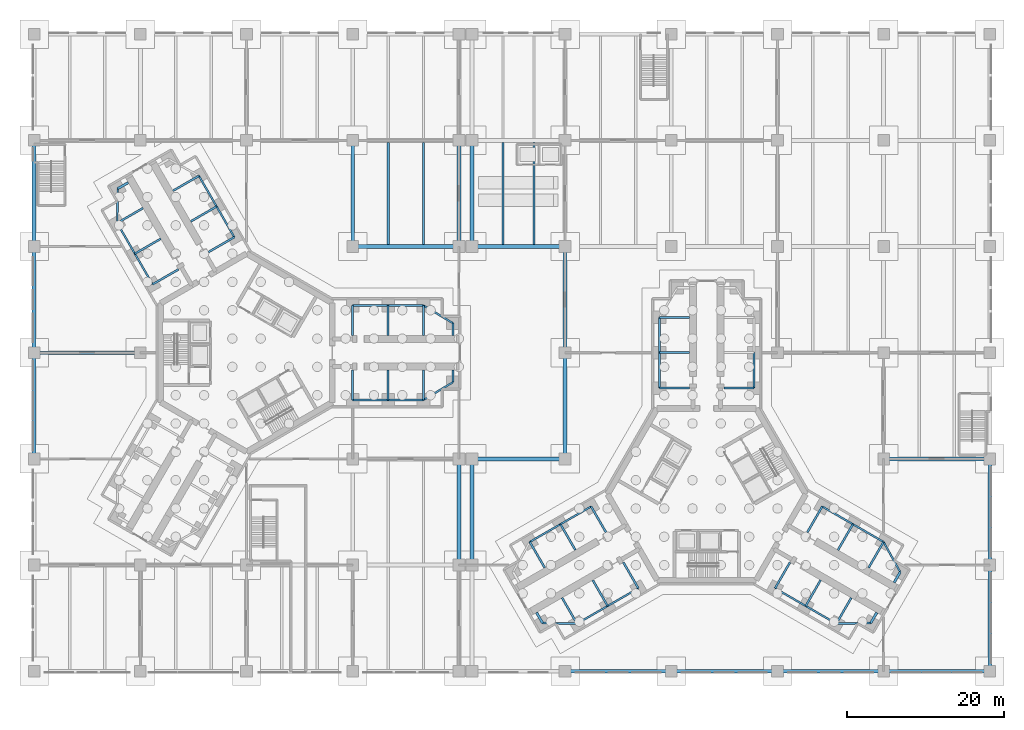
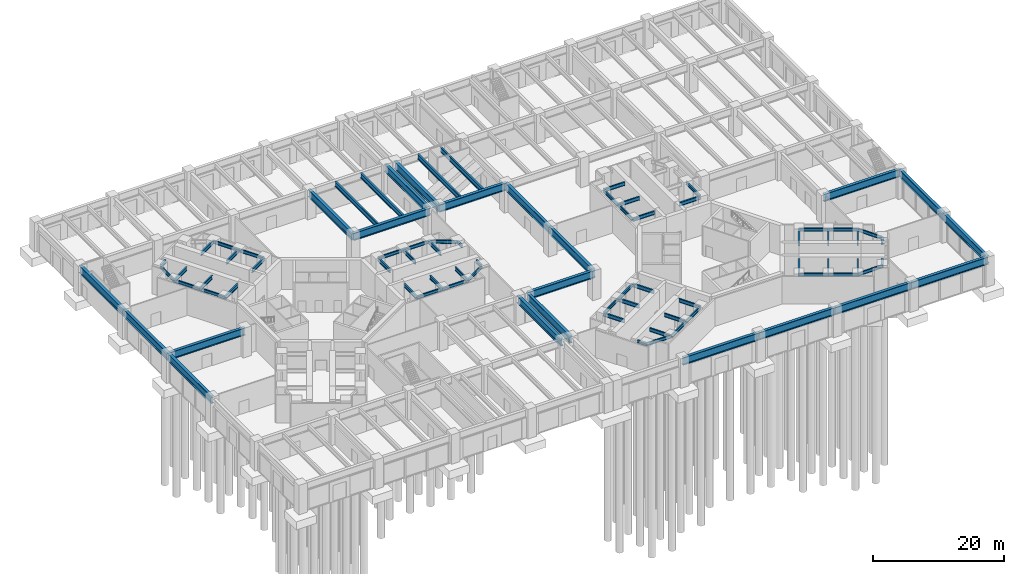
# One storey, part 3 of 18: 84 beams.
"""IFC4 building model written with IfcOpenShell, lengths in metres."""

import ifcopenshell
import ifcopenshell.guid

model = None  # the IFC model being written
_history = None  # IfcOwnerHistory: only IFC2X3 demands one
_inside = {}  # id of a spatial element -> (the spatial element, [elements in it])
_under = {}  # id of a project, library or spatial element -> (it, [spatial elements below it])
_declared = {}  # id of a project -> (the project, [libraries it declares])
_typed = {}  # id of a type object -> (the type object, [elements of that type])
_made_of = {}  # id of a material, layer set ... -> (it, [elements and type objects made of it])


def new_model(schema):
    """Start an empty IFC model of exactly this schema.

    Asked for "IFC4X3", IfcOpenShell would pick the latest addendum, in which some entities
    have other attributes; the version numbers below select the first issue.
    IFC2X3 requires an IfcOwnerHistory on every rooted entity: one is made here for all.
    """
    global model, _history
    if schema == "IFC4X3":
        model = ifcopenshell.file(schema_version=(4, 3, 0, 0))
    else:
        model = ifcopenshell.file(schema=schema)
    _inside.clear()
    _under.clear()
    _declared.clear()
    _typed.clear()
    _made_of.clear()
    _history = None
    if model.schema == "IFC2X3":
        org = make("IfcOrganization", Name="unknown")
        user = make(
            "IfcPersonAndOrganization",
            ThePerson=make("IfcPerson", FamilyName="unknown"),
            TheOrganization=org,
        )
        app = make(
            "IfcApplication",
            ApplicationDeveloper=org,
            Version="unknown",
            ApplicationFullName="unknown",
            ApplicationIdentifier="unknown",
        )
        _history = make(
            "IfcOwnerHistory",
            OwningUser=user,
            OwningApplication=app,
            ChangeAction="ADDED",
            CreationDate=0,
        )
    return model


def make(cls, **values):
    """One entity of the class cls with the attributes given. An attribute that is None is left unset."""
    return model.create_entity(
        cls, **{name: value for name, value in values.items() if value is not None}
    )


def rooted(cls, **values):
    """An entity with a GlobalId (a new one), such as an element, a storey or a relation."""
    return make(cls, GlobalId=ifcopenshell.guid.new(), OwnerHistory=_history, **values)


def si_unit(unit_type, name, prefix=None):
    """IfcSIUnit, for example si_unit("LENGTHUNIT", "METRE", prefix="MILLI")."""
    return make("IfcSIUnit", UnitType=unit_type, Prefix=prefix, Name=name)


def assignment(units):
    """IfcUnitAssignment: the units of a project."""
    return None if units is None else make("IfcUnitAssignment", Units=units)


def point(xyz):
    """IfcCartesianPoint."""
    return None if xyz is None else make("IfcCartesianPoint", Coordinates=xyz)


def direction(xyz):
    """IfcDirection."""
    return None if xyz is None else make("IfcDirection", DirectionRatios=xyz)


def frame(location, z_axis=None, x_axis=None):
    """IfcAxis2Placement3D, a coordinate frame: its origin and axes. An axis left out is left unset."""
    return make(
        "IfcAxis2Placement3D",
        Location=point(location),
        Axis=direction(z_axis),
        RefDirection=direction(x_axis),
    )


def frame_2d(location, x_axis=None):
    """IfcAxis2Placement2D, a coordinate frame in the plane: its origin and x axis."""
    return make(
        "IfcAxis2Placement2D", Location=point(location), RefDirection=direction(x_axis)
    )


def origin():
    """The frame at (0, 0, 0) with its axes left unset."""
    return frame((0.0, 0.0, 0.0))


def origin_2d():
    """The frame at (0, 0) in the plane with its x axis left unset."""
    return frame_2d((0.0, 0.0))


def place(relative_to, where):
    """IfcLocalPlacement: puts the frame where relative to a parent placement (None: the world)."""
    return make(
        "IfcLocalPlacement", PlacementRelTo=relative_to, RelativePlacement=where
    )


def context(
    kind, dimensions, precision=None, world=None, true_north=None, identifier=None
):
    """IfcGeometricRepresentationContext, for example the 3D "Model" context."""
    return make(
        "IfcGeometricRepresentationContext",
        ContextIdentifier=identifier,
        ContextType=kind,
        CoordinateSpaceDimension=dimensions,
        Precision=precision,
        WorldCoordinateSystem=world,
        TrueNorth=true_north,
    )


def subcontext(parent, identifier, kind, view, scale=None):
    """IfcGeometricRepresentationSubContext, for example "Body" below "Model"."""
    return make(
        "IfcGeometricRepresentationSubContext",
        ContextIdentifier=identifier,
        ContextType=kind,
        ParentContext=parent,
        TargetScale=scale,
        TargetView=view,
    )


def project(units=None, contexts=None):
    """IfcProject with its units and contexts."""
    return rooted(
        "IfcProject",
        Name="project",
        RepresentationContexts=contexts,
        UnitsInContext=assignment(units),
    )


def spatial(cls, under=None, at=None, **own):
    """A site, building, storey or space (cls), placed at a placement, below another one or the project."""
    s = rooted(cls, ObjectPlacement=at, **own)
    if under is not None:
        _under.setdefault(under.id(), (under, []))[1].append(s)
    return s


def profile(cls, at=None, kind="AREA", **sizes):
    """A parametric profile (cls). Its sizes go by their IFC names, for example OverallWidth=200.0."""
    return make(cls, ProfileType=kind, Position=at, **sizes)


def i_section(**sizes):
    """IfcIShapeProfileDef."""
    return profile("IfcIShapeProfileDef", **sizes)


def extrude(swept, where, along, depth):
    """IfcExtrudedAreaSolid: the profile swept, set in the frame where, extruded along a direction by depth."""
    return make(
        "IfcExtrudedAreaSolid",
        SweptArea=swept,
        Position=where,
        ExtrudedDirection=direction(along),
        Depth=depth,
    )


def shape(context_of_items, identifier, shape_type, items):
    """IfcShapeRepresentation: the items that make up one representation, for example the "Body"."""
    return make(
        "IfcShapeRepresentation",
        ContextOfItems=context_of_items,
        RepresentationIdentifier=identifier,
        RepresentationType=shape_type,
        Items=items,
    )


def material(Name=None, Category=None):
    """IfcMaterial."""
    return make("IfcMaterial", Name=Name, Category=Category)


def material_profile(
    of_material, cross_section, Name=None, Category=None, Priority=None
):
    """IfcMaterialProfile: a cross section and its material."""
    return make(
        "IfcMaterialProfile",
        Name=Name,
        Material=of_material,
        Profile=cross_section,
        Priority=Priority,
        Category=Category,
    )


def profile_set(profiles, Name=None, composite=None):
    """IfcMaterialProfileSet."""
    return make(
        "IfcMaterialProfileSet",
        Name=Name,
        MaterialProfiles=profiles,
        CompositeProfile=composite,
    )


def made_of(thing, what):
    """Note that an element or type object is made of a material, layer set ...; save() writes the relation."""
    if what is not None:
        _made_of.setdefault(what.id(), (what, []))[1].append(thing)
    return thing


def type_object(cls, material=None, **own):
    """A type object (cls), such as IfcWallType, which elements share."""
    return made_of(rooted(cls, **own), material)


def element(
    cls,
    number,
    at=None,
    inside=None,
    cuts=None,
    type_object=None,
    material=None,
    context=None,
    identifier="Body",
    shape_type=None,
    held_by="IfcProductDefinitionShape",
    body=None,
    shapes=None,
    **own,
):
    """One element of the class cls, such as IfcWall. Its Tag is "e" and its number.

    at: its placement. inside: the storey or other place that contains it. cuts: it is an
    opening in that element (IfcRelVoidsElement). A single representation is given by context,
    identifier, shape_type and body (its items); several are given by shapes. held_by: the class
    of the entity that holds the representations. save() writes the other relations.
    """
    e = rooted(cls, Tag="e%d" % number, ObjectPlacement=at, **own)
    if body is not None:
        shapes = [shape(context, identifier, shape_type, body)]
    if shapes is not None:
        e.Representation = make(held_by, Representations=shapes)
    if inside is not None:
        _inside.setdefault(inside.id(), (inside, []))[1].append(e)
    if cuts is not None:
        rooted(
            "IfcRelVoidsElement", RelatingBuildingElement=cuts, RelatedOpeningElement=e
        )
    if type_object is not None:
        _typed.setdefault(type_object.id(), (type_object, []))[1].append(e)
    return made_of(e, material)


def aggregate(whole, parts):
    """IfcRelAggregates: a whole, such as a stair, and the parts it consists of."""
    return rooted("IfcRelAggregates", RelatingObject=whole, RelatedObjects=parts)


def save(model, path):
    """Write the relations noted so far, then the file.

    IfcRelAggregates (storeys below a building ...), IfcRelContainedInSpatialStructure (elements
    in a storey), IfcRelDefinesByType, IfcRelAssociatesMaterial and IfcRelDeclares: one each for
    every whole, place, type object, material and project.
    """
    for whole, parts in _under.values():
        aggregate(whole, parts)
    for where, things in _inside.values():
        rooted(
            "IfcRelContainedInSpatialStructure",
            RelatedElements=things,
            RelatingStructure=where,
        )
    for kind, things in _typed.values():
        rooted("IfcRelDefinesByType", RelatedObjects=things, RelatingType=kind)
    for what, things in _made_of.values():
        rooted("IfcRelAssociatesMaterial", RelatedObjects=things, RelatingMaterial=what)
    for by, libraries in _declared.values():
        rooted("IfcRelDeclares", RelatingContext=by, RelatedDefinitions=libraries)
    model.write(path)


model = new_model("IFC4")

# Units and contexts
model_context = context("Model", 3, precision=1e-05, world=origin(), true_north=direction((0.0, 1.0)))
body_context = subcontext(model_context, "Body", "Model", "MODEL_VIEW")
ifc_project = project(units=[si_unit("LENGTHUNIT", "METRE"), si_unit("AREAUNIT", "SQUARE_METRE"), si_unit("VOLUMEUNIT", "CUBIC_METRE"), si_unit("PLANEANGLEUNIT", "RADIAN"), si_unit("MASSUNIT", "GRAM", prefix="KILO")], contexts=[model_context])

# Site, building, storey
site_placement = place(None, origin())
site = spatial("IfcSite", under=ifc_project, at=site_placement, CompositionType="ELEMENT")
building_placement = place(site_placement, origin())
building = spatial("IfcBuilding", under=site, at=building_placement, Name="Upepo Twin Towers", CompositionType="ELEMENT")
storey_placement = place(building_placement, origin())
storey = spatial("IfcBuildingStorey", under=building, at=storey_placement, Name="L00", CompositionType="ELEMENT", Elevation=0.0)

# Beams
ifc_material_1 = material(Name="Steel S355", Category="steel")
ifc_material_profile_1 = material_profile(ifc_material_1, i_section(OverallWidth=0.5, OverallDepth=1.39990234375, WebThickness=0.02490234375, FlangeThickness=0.050048828125, FilletRadius=0.008056640625, at=origin_2d()), Name="PG 1400x500x25x50")
ifc_profile_set_1 = profile_set([ifc_material_profile_1], Name="Steel S355")
beam_type_1 = type_object("IfcBeamType", Name="Beam PG 1400x500x25x50", PredefinedType="BEAM", material=ifc_profile_set_1)
for number, where, z_axis, x_axis, name in (
    (1, (40.5, -40.5, 4.449951171875), (1.0, 0.0, 0.0), (0.0, 1.0, 0.0), "Podium girder A/6-7"),
    (2, (54.0, -40.5, 4.449951171875), (1.0, 0.0, 0.0), (0.0, 1.0, 0.0), "Podium girder A/7-8"),
    (3, (67.5, -40.5, 4.449951171875), (1.0, 0.0, 0.0), (0.0, 1.0, 0.0), "Podium girder A/8-9"),
    (4, (81.0, -40.5, 4.449951171875), (1.0, 0.0, 0.0), (0.0, 1.0, 0.0), "Podium girder A/9-10"),
):
    element("IfcBeam", number, at=place(storey_placement, frame(where, z_axis=z_axis, x_axis=x_axis)), inside=storey, type_object=beam_type_1, Name=name, PredefinedType="BEAM", context=body_context, shape_type="SweptSolid", body=[
        extrude(i_section(OverallWidth=0.5, OverallDepth=1.39990234375, WebThickness=0.02490234375, FlangeThickness=0.050048828125, FilletRadius=0.008056640625, at=origin_2d()), origin(), (0.0, 0.0, 1.0), 13.5),
    ])
beam_1_placement = place(storey_placement, frame((28.64990234375, -13.5, 4.449951171875), z_axis=(1.0, 0.0, 0.0), x_axis=(0.0, 1.0, 0.0)))
element("IfcBeam", 5, at=beam_1_placement, inside=storey, type_object=beam_type_1, Name="Podium girder C/5a-6", PredefinedType="BEAM", context=body_context, shape_type="SweptSolid", body=[
    extrude(i_section(OverallWidth=0.5, OverallDepth=1.39990234375, WebThickness=0.02490234375, FlangeThickness=0.050048828125, FilletRadius=0.008056640625, at=origin_2d()), origin(), (0.0, 0.0, 1.0), 11.85009765625),
])
for number, where, z_axis, x_axis, name in (
    (6, (81.0, -13.5, 4.449951171875), (1.0, 0.0, 0.0), (0.0, 1.0, 0.0), "Podium girder C/9-10"),
    (7, (-27.0, 0.0, 4.449951171875), (1.0, 0.0, 0.0), (0.0, 1.0, 0.0), "Podium girder D/1-2"),
    (8, (13.5, 13.5, 4.449951171875), (1.0, 0.0, 0.0), (0.0, 1.0, 0.0), "Podium girder E/4-5"),
):
    element("IfcBeam", number, at=place(storey_placement, frame(where, z_axis=z_axis, x_axis=x_axis)), inside=storey, type_object=beam_type_1, Name=name, PredefinedType="BEAM", context=body_context, shape_type="SweptSolid", body=[
        extrude(i_section(OverallWidth=0.5, OverallDepth=1.39990234375, WebThickness=0.02490234375, FlangeThickness=0.050048828125, FilletRadius=0.008056640625, at=origin_2d()), origin(), (0.0, 0.0, 1.0), 13.5),
    ])
beam_2_placement = place(storey_placement, frame((28.64990234375, 13.5, 4.449951171875), z_axis=(1.0, 0.0, 0.0), x_axis=(0.0, 1.0, 0.0)))
element("IfcBeam", 9, at=beam_2_placement, inside=storey, type_object=beam_type_1, Name="Podium girder E/5a-6", PredefinedType="BEAM", context=body_context, shape_type="SweptSolid", body=[
    extrude(i_section(OverallWidth=0.5, OverallDepth=1.39990234375, WebThickness=0.02490234375, FlangeThickness=0.050048828125, FilletRadius=0.008056640625, at=origin_2d()), origin(), (0.0, 0.0, 1.0), 11.85009765625),
])
for number, where, z_axis, x_axis, name in (
    (10, (-27.0, -13.5, 4.449951171875), (0.0, 1.0, 0.0), (-1.0, 0.0, 0.0), "Podium girder 1/C-D"),
    (11, (-27.0, 0.0, 4.449951171875), (0.0, 1.0, 0.0), (-1.0, 0.0, 0.0), "Podium girder 1/D-E"),
    (12, (-27.0, 13.5, 4.449951171875), (0.0, 1.0, 0.0), (-1.0, 0.0, 0.0), "Podium girder 1/E-F"),
    (13, (13.5, 13.5, 4.449951171875), (0.0, 1.0, 0.0), (-1.0, 0.0, 0.0), "Podium girder 4/E-F"),
    (14, (27.0, -27.0, 4.449951171875), (0.0, 1.0, 0.0), (-1.0, 0.0, 0.0), "Podium girder 5/B-C"),
    (15, (27.0, 13.5, 4.449951171875), (0.0, 1.0, 0.0), (-1.0, 0.0, 0.0), "Podium girder 5/E-F"),
    (16, (28.64990234375, -27.0, 4.449951171875), (0.0, 1.0, 0.0), (-1.0, 0.0, 0.0), "Podium girder 5a/B-C"),
    (17, (28.64990234375, 13.5, 4.449951171875), (0.0, 1.0, 0.0), (-1.0, 0.0, 0.0), "Podium girder 5a/E-F"),
    (18, (40.5, -13.5, 4.449951171875), (0.0, 1.0, 0.0), (-1.0, 0.0, 0.0), "Podium girder 6/C-D"),
    (19, (40.5, 0.0, 4.449951171875), (0.0, 1.0, 0.0), (-1.0, 0.0, 0.0), "Podium girder 6/D-E"),
    (20, (94.5, -40.5, 4.449951171875), (0.0, 1.0, 0.0), (-1.0, 0.0, 0.0), "Podium girder 10/A-B"),
    (21, (94.5, -27.0, 4.449951171875), (0.0, 1.0, 0.0), (-1.0, 0.0, 0.0), "Podium girder 10/B-C"),
):
    element("IfcBeam", number, at=place(storey_placement, frame(where, z_axis=z_axis, x_axis=x_axis)), inside=storey, type_object=beam_type_1, Name=name, PredefinedType="BEAM", context=body_context, shape_type="SweptSolid", body=[
        extrude(i_section(OverallWidth=0.5, OverallDepth=1.39990234375, WebThickness=0.02490234375, FlangeThickness=0.050048828125, FilletRadius=0.008056640625, at=origin_2d()), origin(), (0.0, 0.0, 1.0), 13.5),
    ])
ifc_material_2 = material(Name="Steel S355", Category="steel")
ifc_material_profile_2 = material_profile(ifc_material_2, i_section(OverallWidth=0.31201171875, OverallDepth=0.54345703125, WebThickness=0.0126953125, FlangeThickness=0.020263671875, FilletRadius=0.0126953125, at=origin_2d()), Name="UB 533x312x150")
ifc_profile_set_2 = profile_set([ifc_material_profile_2], Name="Steel S355")
beam_type_2 = type_object("IfcBeamType", Name="Beam UB 533x312x150", PredefinedType="BEAM", material=ifc_profile_set_2)
for number, where, z_axis, x_axis, name in (
    (22, (26.25, 3.75, 4.878173828125), (0.0, -1.0, 0.0), (1.0, 0.0, 0.0), "T1 nose beam AL"),
    (23, (26.25, -3.75, 4.878173828125), (0.0, 1.0, 0.0), (-1.0, 0.0, 0.0), "T1 nose beam AR"),
):
    element("IfcBeam", number, at=place(storey_placement, frame(where, z_axis=z_axis, x_axis=x_axis)), inside=storey, type_object=beam_type_2, Name=name, PredefinedType="BEAM", context=body_context, shape_type="SweptSolid", body=[
        extrude(i_section(OverallWidth=0.31201171875, OverallDepth=0.54345703125, WebThickness=0.0126953125, FlangeThickness=0.020263671875, FilletRadius=0.0126953125, at=origin_2d()), origin(), (0.0, 0.0, 1.0), 1.550048828125),
    ])
for number, where, z_axis, x_axis, name in (
    (24, (-16.37255859375, 20.858154296875, 4.878173828125), (0.866043940782, 0.499967891604, 0.0), (-0.499967891604, 0.866043940782, 0.0), "T1 nose beam BL"),
    (25, (37.641845703125, -34.37255859375, 4.878173828125), (-0.499967891604, 0.866043940782, 0.0), (-0.866043940782, -0.499967891604, 0.0), "T2 nose beam BL"),
    (26, (83.108154296875, -27.87744140625, 4.878173828125), (-0.499967891604, -0.866043940782, 0.0), (0.866043940782, -0.499967891604, 0.0), "T2 nose beam CL"),
    (27, (79.358154296875, -34.37255859375, 4.878173828125), (0.499967891604, 0.866043940782, 0.0), (-0.866043940782, 0.499967891604, 0.0), "T2 nose beam CR"),
):
    element("IfcBeam", number, at=place(storey_placement, frame(where, z_axis=z_axis, x_axis=x_axis)), inside=storey, type_object=beam_type_2, Name=name, PredefinedType="BEAM", context=body_context, shape_type="SweptSolid", body=[
        extrude(i_section(OverallWidth=0.31201171875, OverallDepth=0.54345703125, WebThickness=0.0126953125, FlangeThickness=0.020263671875, FilletRadius=0.0126953125, at=origin_2d()), origin(), (0.0, 0.0, 1.0), 1.5498046875),
    ])
ifc_material_3 = material(Name="Steel S355", Category="steel")
ifc_material_profile_3 = material_profile(ifc_material_3, i_section(OverallWidth=0.228271484375, OverallDepth=0.607666015625, WebThickness=0.010986328125, FlangeThickness=0.017333984375, FilletRadius=0.0126953125, at=origin_2d()), Name="UB 610x229x113")
ifc_profile_set_3 = profile_set([ifc_material_profile_3], Name="Steel S355")
beam_type_3 = type_object("IfcBeamType", Name="Beam UB 610x229x113", PredefinedType="BEAM", material=ifc_profile_set_3)
for number, where, z_axis, x_axis, name in (
    (28, (13.5, 6.0, 4.84619140625), (1.0, 0.0, 0.0), (0.0, 1.0, 0.0), "T1 edge beam AL 13.5-18.0"),
    (29, (18.0, 6.0, 4.84619140625), (1.0, 0.0, 0.0), (0.0, 1.0, 0.0), "T1 edge beam AL 18.0-22.5"),
):
    element("IfcBeam", number, at=place(storey_placement, frame(where, z_axis=z_axis, x_axis=x_axis)), inside=storey, type_object=beam_type_3, Name=name, PredefinedType="BEAM", context=body_context, shape_type="SweptSolid", body=[
        extrude(i_section(OverallWidth=0.228271484375, OverallDepth=0.607666015625, WebThickness=0.010986328125, FlangeThickness=0.017333984375, FilletRadius=0.0126953125, at=origin_2d()), origin(), (0.0, 0.0, 1.0), 4.5),
    ])
beam_3_placement = place(storey_placement, frame((22.5, 6.0, 4.84619140625), z_axis=(0.857492925713, -0.514495755428, 0.0), x_axis=(0.514495755428, 0.857492925713, 0.0)))
element("IfcBeam", 30, at=beam_3_placement, inside=storey, type_object=beam_type_3, Name="T1 nose edge beam AL", PredefinedType="BEAM", context=body_context, shape_type="SweptSolid", body=[
    extrude(i_section(OverallWidth=0.228271484375, OverallDepth=0.607666015625, WebThickness=0.010986328125, FlangeThickness=0.017333984375, FilletRadius=0.0126953125, at=origin_2d()), origin(), (0.0, 0.0, 1.0), 4.373291015625),
])
for number, where, z_axis, x_axis, name in (
    (31, (13.5, -6.0, 4.84619140625), (1.0, 0.0, 0.0), (0.0, 1.0, 0.0), "T1 edge beam AR 13.5-18.0"),
    (32, (18.0, -6.0, 4.84619140625), (1.0, 0.0, 0.0), (0.0, 1.0, 0.0), "T1 edge beam AR 18.0-22.5"),
):
    element("IfcBeam", number, at=place(storey_placement, frame(where, z_axis=z_axis, x_axis=x_axis)), inside=storey, type_object=beam_type_3, Name=name, PredefinedType="BEAM", context=body_context, shape_type="SweptSolid", body=[
        extrude(i_section(OverallWidth=0.228271484375, OverallDepth=0.607666015625, WebThickness=0.010986328125, FlangeThickness=0.017333984375, FilletRadius=0.0126953125, at=origin_2d()), origin(), (0.0, 0.0, 1.0), 4.5),
    ])
beam_4_placement = place(storey_placement, frame((22.5, -6.0, 4.84619140625), z_axis=(0.857492925713, 0.514495755428, 0.0), x_axis=(-0.514495755428, 0.857492925713, 0.0)))
element("IfcBeam", 33, at=beam_4_placement, inside=storey, type_object=beam_type_3, Name="T1 nose edge beam AR", PredefinedType="BEAM", context=body_context, shape_type="SweptSolid", body=[
    extrude(i_section(OverallWidth=0.228271484375, OverallDepth=0.607666015625, WebThickness=0.010986328125, FlangeThickness=0.017333984375, FilletRadius=0.0126953125, at=origin_2d()), origin(), (0.0, 0.0, 1.0), 4.373291015625),
])
beam_5_placement = place(storey_placement, frame((-11.946044921875, 8.69140625, 4.84619140625), z_axis=(-0.500013631625, 0.866017533419, 0.0), x_axis=(-0.866017533419, -0.500013631625, 0.0)))
element("IfcBeam", 34, at=beam_5_placement, inside=storey, type_object=beam_type_3, Name="T1 edge beam BL 13.5-18.0", PredefinedType="BEAM", context=body_context, shape_type="SweptSolid", body=[
    extrude(i_section(OverallWidth=0.228271484375, OverallDepth=0.607666015625, WebThickness=0.010986328125, FlangeThickness=0.017333984375, FilletRadius=0.0126953125, at=origin_2d()), origin(), (0.0, 0.0, 1.0), 4.499755859375),
])
beam_6_placement = place(storey_placement, frame((-14.196044921875, 12.58837890625, 4.84619140625), z_axis=(-0.499990139034, 0.866031096941, 0.0), x_axis=(-0.866031096941, -0.499990139034, 0.0)))
element("IfcBeam", 35, at=beam_6_placement, inside=storey, type_object=beam_type_3, Name="T1 edge beam BL 18.0-22.5", PredefinedType="BEAM", context=body_context, shape_type="SweptSolid", body=[
    extrude(i_section(OverallWidth=0.228271484375, OverallDepth=0.607666015625, WebThickness=0.010986328125, FlangeThickness=0.017333984375, FilletRadius=0.0126953125, at=origin_2d()), origin(), (0.0, 0.0, 1.0), 4.5),
])
beam_7_placement = place(storey_placement, frame((-16.446044921875, 16.485595703125, 4.84619140625), z_axis=(0.016803880528, 0.999858804832, 0.0), x_axis=(-0.999858804832, 0.016803880528, 0.0)))
element("IfcBeam", 36, at=beam_7_placement, inside=storey, type_object=beam_type_3, Name="T1 nose edge beam BL", PredefinedType="BEAM", context=body_context, shape_type="SweptSolid", body=[
    extrude(i_section(OverallWidth=0.228271484375, OverallDepth=0.607666015625, WebThickness=0.010986328125, FlangeThickness=0.017333984375, FilletRadius=0.0126953125, at=origin_2d()), origin(), (0.0, 0.0, 1.0), 4.373291015625),
])
beam_8_placement = place(storey_placement, frame((-1.553955078125, 14.69140625, 4.84619140625), z_axis=(-0.500013631625, 0.866017533419, 0.0), x_axis=(-0.866017533419, -0.500013631625, 0.0)))
element("IfcBeam", 37, at=beam_8_placement, inside=storey, type_object=beam_type_3, Name="T1 edge beam BR 13.5-18.0", PredefinedType="BEAM", context=body_context, shape_type="SweptSolid", body=[
    extrude(i_section(OverallWidth=0.228271484375, OverallDepth=0.607666015625, WebThickness=0.010986328125, FlangeThickness=0.017333984375, FilletRadius=0.0126953125, at=origin_2d()), origin(), (0.0, 0.0, 1.0), 4.499755859375),
])
for number, where, z_axis, x_axis, name in (
    (38, (-3.803955078125, 18.58837890625, 4.84619140625), (-0.499990139034, 0.866031096941, 0.0), (-0.866031096941, -0.499990139034, 0.0), "T1 edge beam BR 18.0-22.5"),
    (39, (52.5, -4.5, 4.84619140625), (0.0, 1.0, 0.0), (-1.0, 0.0, 0.0), "T2 edge beam AL 13.5-18.0"),
    (40, (52.5, 0.0, 4.84619140625), (0.0, 1.0, 0.0), (-1.0, 0.0, 0.0), "T2 edge beam AL 18.0-22.5"),
    (41, (64.5, -4.5, 4.84619140625), (0.0, 1.0, 0.0), (-1.0, 0.0, 0.0), "T2 edge beam AR 13.5-18.0"),
):
    element("IfcBeam", number, at=place(storey_placement, frame(where, z_axis=z_axis, x_axis=x_axis)), inside=storey, type_object=beam_type_3, Name=name, PredefinedType="BEAM", context=body_context, shape_type="SweptSolid", body=[
        extrude(i_section(OverallWidth=0.228271484375, OverallDepth=0.607666015625, WebThickness=0.010986328125, FlangeThickness=0.017333984375, FilletRadius=0.0126953125, at=origin_2d()), origin(), (0.0, 0.0, 1.0), 4.5),
    ])
beam_9_placement = place(storey_placement, frame((49.80859375, -29.946044921875, 4.84619140625), z_axis=(-0.866017533419, -0.500013631625, 0.0), x_axis=(0.500013631625, -0.866017533419, 0.0)))
element("IfcBeam", 42, at=beam_9_placement, inside=storey, type_object=beam_type_3, Name="T2 edge beam BL 13.5-18.0", PredefinedType="BEAM", context=body_context, shape_type="SweptSolid", body=[
    extrude(i_section(OverallWidth=0.228271484375, OverallDepth=0.607666015625, WebThickness=0.010986328125, FlangeThickness=0.017333984375, FilletRadius=0.0126953125, at=origin_2d()), origin(), (0.0, 0.0, 1.0), 4.499755859375),
])
beam_10_placement = place(storey_placement, frame((45.91162109375, -32.196044921875, 4.84619140625), z_axis=(-0.866031096941, -0.499990139034, 0.0), x_axis=(0.499990139034, -0.866031096941, 0.0)))
element("IfcBeam", 43, at=beam_10_placement, inside=storey, type_object=beam_type_3, Name="T2 edge beam BL 18.0-22.5", PredefinedType="BEAM", context=body_context, shape_type="SweptSolid", body=[
    extrude(i_section(OverallWidth=0.228271484375, OverallDepth=0.607666015625, WebThickness=0.010986328125, FlangeThickness=0.017333984375, FilletRadius=0.0126953125, at=origin_2d()), origin(), (0.0, 0.0, 1.0), 4.5),
])
beam_11_placement = place(storey_placement, frame((42.014404296875, -34.446044921875, 4.84619140625), z_axis=(-0.999858804832, 0.016803880528, 0.0), x_axis=(-0.016803880528, -0.999858804832, 0.0)))
element("IfcBeam", 44, at=beam_11_placement, inside=storey, type_object=beam_type_3, Name="T2 nose edge beam BL", PredefinedType="BEAM", context=body_context, shape_type="SweptSolid", body=[
    extrude(i_section(OverallWidth=0.228271484375, OverallDepth=0.607666015625, WebThickness=0.010986328125, FlangeThickness=0.017333984375, FilletRadius=0.0126953125, at=origin_2d()), origin(), (0.0, 0.0, 1.0), 4.373291015625),
])
beam_12_placement = place(storey_placement, frame((43.80859375, -19.553955078125, 4.84619140625), z_axis=(-0.866017533419, -0.500013631625, 0.0), x_axis=(0.500013631625, -0.866017533419, 0.0)))
element("IfcBeam", 45, at=beam_12_placement, inside=storey, type_object=beam_type_3, Name="T2 edge beam BR 13.5-18.0", PredefinedType="BEAM", context=body_context, shape_type="SweptSolid", body=[
    extrude(i_section(OverallWidth=0.228271484375, OverallDepth=0.607666015625, WebThickness=0.010986328125, FlangeThickness=0.017333984375, FilletRadius=0.0126953125, at=origin_2d()), origin(), (0.0, 0.0, 1.0), 4.499755859375),
])
beam_13_placement = place(storey_placement, frame((39.91162109375, -21.803955078125, 4.84619140625), z_axis=(-0.866031096941, -0.499990139034, 0.0), x_axis=(0.499990139034, -0.866031096941, 0.0)))
element("IfcBeam", 46, at=beam_13_placement, inside=storey, type_object=beam_type_3, Name="T2 edge beam BR 18.0-22.5", PredefinedType="BEAM", context=body_context, shape_type="SweptSolid", body=[
    extrude(i_section(OverallWidth=0.228271484375, OverallDepth=0.607666015625, WebThickness=0.010986328125, FlangeThickness=0.017333984375, FilletRadius=0.0126953125, at=origin_2d()), origin(), (0.0, 0.0, 1.0), 4.5),
])
beam_14_placement = place(storey_placement, frame((73.19140625, -19.553955078125, 4.84619140625), z_axis=(0.866017533419, -0.500013631625, 0.0), x_axis=(0.500013631625, 0.866017533419, 0.0)))
element("IfcBeam", 47, at=beam_14_placement, inside=storey, type_object=beam_type_3, Name="T2 edge beam CL 13.5-18.0", PredefinedType="BEAM", context=body_context, shape_type="SweptSolid", body=[
    extrude(i_section(OverallWidth=0.228271484375, OverallDepth=0.607666015625, WebThickness=0.010986328125, FlangeThickness=0.017333984375, FilletRadius=0.0126953125, at=origin_2d()), origin(), (0.0, 0.0, 1.0), 4.499755859375),
])
beam_15_placement = place(storey_placement, frame((77.08837890625, -21.803955078125, 4.84619140625), z_axis=(0.866031096941, -0.499990139034, 0.0), x_axis=(0.499990139034, 0.866031096941, 0.0)))
element("IfcBeam", 48, at=beam_15_placement, inside=storey, type_object=beam_type_3, Name="T2 edge beam CL 18.0-22.5", PredefinedType="BEAM", context=body_context, shape_type="SweptSolid", body=[
    extrude(i_section(OverallWidth=0.228271484375, OverallDepth=0.607666015625, WebThickness=0.010986328125, FlangeThickness=0.017333984375, FilletRadius=0.0126953125, at=origin_2d()), origin(), (0.0, 0.0, 1.0), 4.5),
])
beam_16_placement = place(storey_placement, frame((80.985595703125, -24.053955078125, 4.84619140625), z_axis=(0.485363242752, -0.874312600038, 0.0), x_axis=(0.874312600038, 0.485363242752, 0.0)))
element("IfcBeam", 49, at=beam_16_placement, inside=storey, type_object=beam_type_3, Name="T2 nose edge beam CL", PredefinedType="BEAM", context=body_context, shape_type="SweptSolid", body=[
    extrude(i_section(OverallWidth=0.228271484375, OverallDepth=0.607666015625, WebThickness=0.010986328125, FlangeThickness=0.017333984375, FilletRadius=0.0126953125, at=origin_2d()), origin(), (0.0, 0.0, 1.0), 4.373046875),
])
beam_17_placement = place(storey_placement, frame((67.19140625, -29.946044921875, 4.84619140625), z_axis=(0.866017533419, -0.500013631625, 0.0), x_axis=(0.500013631625, 0.866017533419, 0.0)))
element("IfcBeam", 50, at=beam_17_placement, inside=storey, type_object=beam_type_3, Name="T2 edge beam CR 13.5-18.0", PredefinedType="BEAM", context=body_context, shape_type="SweptSolid", body=[
    extrude(i_section(OverallWidth=0.228271484375, OverallDepth=0.607666015625, WebThickness=0.010986328125, FlangeThickness=0.017333984375, FilletRadius=0.0126953125, at=origin_2d()), origin(), (0.0, 0.0, 1.0), 4.499755859375),
])
beam_18_placement = place(storey_placement, frame((71.08837890625, -32.196044921875, 4.84619140625), z_axis=(0.866031096941, -0.499990139034, 0.0), x_axis=(0.499990139034, 0.866031096941, 0.0)))
element("IfcBeam", 51, at=beam_18_placement, inside=storey, type_object=beam_type_3, Name="T2 edge beam CR 18.0-22.5", PredefinedType="BEAM", context=body_context, shape_type="SweptSolid", body=[
    extrude(i_section(OverallWidth=0.228271484375, OverallDepth=0.607666015625, WebThickness=0.010986328125, FlangeThickness=0.017333984375, FilletRadius=0.0126953125, at=origin_2d()), origin(), (0.0, 0.0, 1.0), 4.5),
])
beam_19_placement = place(storey_placement, frame((74.985595703125, -34.446044921875, 4.84619140625), z_axis=(0.999858804832, 0.016803880528, 0.0), x_axis=(-0.016803880528, 0.999858804832, 0.0)))
element("IfcBeam", 52, at=beam_19_placement, inside=storey, type_object=beam_type_3, Name="T2 nose edge beam CR", PredefinedType="BEAM", context=body_context, shape_type="SweptSolid", body=[
    extrude(i_section(OverallWidth=0.228271484375, OverallDepth=0.607666015625, WebThickness=0.010986328125, FlangeThickness=0.017333984375, FilletRadius=0.0126953125, at=origin_2d()), origin(), (0.0, 0.0, 1.0), 4.373291015625),
])
ifc_material_4 = material(Name="Steel S355", Category="steel")
ifc_material_profile_4 = material_profile(ifc_material_4, i_section(OverallWidth=0.253662109375, OverallDepth=0.68359375, WebThickness=0.012451171875, FlangeThickness=0.01904296875, FilletRadius=0.01513671875, at=origin_2d()), Name="UB 686x254x140")
ifc_profile_set_4 = profile_set([ifc_material_profile_4], Name="Steel S355")
beam_type_4 = type_object("IfcBeamType", Name="Beam UB 686x254x140", PredefinedType="BEAM", material=ifc_profile_set_4)
for number, where, z_axis, x_axis, name in (
    (53, (13.5, 6.0, 4.808349609375), (0.0, -1.0, 0.0), (1.0, 0.0, 0.0), "T1 girder AL at 13.5"),
    (54, (18.0, 6.0, 4.808349609375), (0.0, -1.0, 0.0), (1.0, 0.0, 0.0), "T1 girder AL at 18.0"),
    (55, (22.5, 6.0, 4.808349609375), (0.0, -1.0, 0.0), (1.0, 0.0, 0.0), "T1 girder AL at 22.5"),
    (56, (13.5, -6.0, 4.808349609375), (0.0, 1.0, 0.0), (-1.0, 0.0, 0.0), "T1 girder AR at 13.5"),
    (57, (18.0, -6.0, 4.808349609375), (0.0, 1.0, 0.0), (-1.0, 0.0, 0.0), "T1 girder AR at 18.0"),
    (58, (22.5, -6.0, 4.808349609375), (0.0, 1.0, 0.0), (-1.0, 0.0, 0.0), "T1 girder AR at 22.5"),
):
    element("IfcBeam", number, at=place(storey_placement, frame(where, z_axis=z_axis, x_axis=x_axis)), inside=storey, type_object=beam_type_4, Name=name, PredefinedType="BEAM", context=body_context, shape_type="SweptSolid", body=[
        extrude(i_section(OverallWidth=0.253662109375, OverallDepth=0.68359375, WebThickness=0.012451171875, FlangeThickness=0.01904296875, FilletRadius=0.01513671875, at=origin_2d()), origin(), (0.0, 0.0, 1.0), 3.800048828125),
    ])
beam_20_placement = place(storey_placement, frame((-11.946044921875, 8.69140625, 4.808349609375), z_axis=(0.866028304915, 0.499994975061, 0.0), x_axis=(-0.499994975061, 0.866028304915, 0.0)))
element("IfcBeam", 59, at=beam_20_placement, inside=storey, type_object=beam_type_4, Name="T1 girder BL at 13.5", PredefinedType="BEAM", context=body_context, shape_type="SweptSolid", body=[
    extrude(i_section(OverallWidth=0.253662109375, OverallDepth=0.68359375, WebThickness=0.012451171875, FlangeThickness=0.01904296875, FilletRadius=0.01513671875, at=origin_2d()), origin(), (0.0, 0.0, 1.0), 3.7998046875),
])
beam_21_placement = place(storey_placement, frame((-14.196044921875, 12.58837890625, 4.808349609375), z_axis=(0.866000483506, 0.500043160704, 0.0), x_axis=(-0.500043160704, 0.866000483506, 0.0)))
element("IfcBeam", 60, at=beam_21_placement, inside=storey, type_object=beam_type_4, Name="T1 girder BL at 18.0", PredefinedType="BEAM", context=body_context, shape_type="SweptSolid", body=[
    extrude(i_section(OverallWidth=0.253662109375, OverallDepth=0.68359375, WebThickness=0.012451171875, FlangeThickness=0.01904296875, FilletRadius=0.01513671875, at=origin_2d()), origin(), (0.0, 0.0, 1.0), 3.800048828125),
])
beam_22_placement = place(storey_placement, frame((-16.446044921875, 16.485595703125, 4.808349609375), z_axis=(0.866028304915, 0.499994975061, 0.0), x_axis=(-0.499994975061, 0.866028304915, 0.0)))
element("IfcBeam", 61, at=beam_22_placement, inside=storey, type_object=beam_type_4, Name="T1 girder BL at 22.5", PredefinedType="BEAM", context=body_context, shape_type="SweptSolid", body=[
    extrude(i_section(OverallWidth=0.253662109375, OverallDepth=0.68359375, WebThickness=0.012451171875, FlangeThickness=0.01904296875, FilletRadius=0.01513671875, at=origin_2d()), origin(), (0.0, 0.0, 1.0), 3.7998046875),
])
beam_23_placement = place(storey_placement, frame((-1.553955078125, 14.69140625, 4.808349609375), z_axis=(-0.866000483506, -0.500043160704, 0.0), x_axis=(0.500043160704, -0.866000483506, 0.0)))
element("IfcBeam", 62, at=beam_23_placement, inside=storey, type_object=beam_type_4, Name="T1 girder BR at 13.5", PredefinedType="BEAM", context=body_context, shape_type="SweptSolid", body=[
    extrude(i_section(OverallWidth=0.253662109375, OverallDepth=0.68359375, WebThickness=0.012451171875, FlangeThickness=0.01904296875, FilletRadius=0.01513671875, at=origin_2d()), origin(), (0.0, 0.0, 1.0), 3.800048828125),
])
for number, where, z_axis, x_axis, name in (
    (63, (-3.803955078125, 18.58837890625, 4.808349609375), (-0.866028304915, -0.499994975061, 0.0), (0.499994975061, -0.866028304915, 0.0), "T1 girder BR at 18.0"),
    (64, (-6.053955078125, 22.485595703125, 4.808349609375), (-0.866028304915, -0.499994975061, 0.0), (0.499994975061, -0.866028304915, 0.0), "T1 girder BR at 22.5"),
):
    element("IfcBeam", number, at=place(storey_placement, frame(where, z_axis=z_axis, x_axis=x_axis)), inside=storey, type_object=beam_type_4, Name=name, PredefinedType="BEAM", context=body_context, shape_type="SweptSolid", body=[
        extrude(i_section(OverallWidth=0.253662109375, OverallDepth=0.68359375, WebThickness=0.012451171875, FlangeThickness=0.01904296875, FilletRadius=0.01513671875, at=origin_2d()), origin(), (0.0, 0.0, 1.0), 3.7998046875),
    ])
for number, where, z_axis, x_axis, name in (
    (65, (52.5, -4.5, 4.808349609375), (1.0, 0.0, 0.0), (0.0, 1.0, 0.0), "T2 girder AL at 13.5"),
    (66, (52.5, 0.0, 4.808349609375), (1.0, 0.0, 0.0), (0.0, 1.0, 0.0), "T2 girder AL at 18.0"),
    (67, (52.5, 4.5, 4.808349609375), (1.0, 0.0, 0.0), (0.0, 1.0, 0.0), "T2 girder AL at 22.5"),
    (68, (64.5, -4.5, 4.808349609375), (-1.0, 0.0, 0.0), (0.0, -1.0, 0.0), "T2 girder AR at 13.5"),
):
    element("IfcBeam", number, at=place(storey_placement, frame(where, z_axis=z_axis, x_axis=x_axis)), inside=storey, type_object=beam_type_4, Name=name, PredefinedType="BEAM", context=body_context, shape_type="SweptSolid", body=[
        extrude(i_section(OverallWidth=0.253662109375, OverallDepth=0.68359375, WebThickness=0.012451171875, FlangeThickness=0.01904296875, FilletRadius=0.01513671875, at=origin_2d()), origin(), (0.0, 0.0, 1.0), 3.800048828125),
    ])
beam_24_placement = place(storey_placement, frame((49.80859375, -29.946044921875, 4.808349609375), z_axis=(-0.499994975061, 0.866028304915, 0.0), x_axis=(-0.866028304915, -0.499994975061, 0.0)))
element("IfcBeam", 69, at=beam_24_placement, inside=storey, type_object=beam_type_4, Name="T2 girder BL at 13.5", PredefinedType="BEAM", context=body_context, shape_type="SweptSolid", body=[
    extrude(i_section(OverallWidth=0.253662109375, OverallDepth=0.68359375, WebThickness=0.012451171875, FlangeThickness=0.01904296875, FilletRadius=0.01513671875, at=origin_2d()), origin(), (0.0, 0.0, 1.0), 3.7998046875),
])
beam_25_placement = place(storey_placement, frame((45.91162109375, -32.196044921875, 4.808349609375), z_axis=(-0.500043160704, 0.866000483506, 0.0), x_axis=(-0.866000483506, -0.500043160704, 0.0)))
element("IfcBeam", 70, at=beam_25_placement, inside=storey, type_object=beam_type_4, Name="T2 girder BL at 18.0", PredefinedType="BEAM", context=body_context, shape_type="SweptSolid", body=[
    extrude(i_section(OverallWidth=0.253662109375, OverallDepth=0.68359375, WebThickness=0.012451171875, FlangeThickness=0.01904296875, FilletRadius=0.01513671875, at=origin_2d()), origin(), (0.0, 0.0, 1.0), 3.800048828125),
])
beam_26_placement = place(storey_placement, frame((42.014404296875, -34.446044921875, 4.808349609375), z_axis=(-0.499994975061, 0.866028304915, 0.0), x_axis=(-0.866028304915, -0.499994975061, 0.0)))
element("IfcBeam", 71, at=beam_26_placement, inside=storey, type_object=beam_type_4, Name="T2 girder BL at 22.5", PredefinedType="BEAM", context=body_context, shape_type="SweptSolid", body=[
    extrude(i_section(OverallWidth=0.253662109375, OverallDepth=0.68359375, WebThickness=0.012451171875, FlangeThickness=0.01904296875, FilletRadius=0.01513671875, at=origin_2d()), origin(), (0.0, 0.0, 1.0), 3.7998046875),
])
beam_27_placement = place(storey_placement, frame((43.80859375, -19.553955078125, 4.808349609375), z_axis=(0.500043160704, -0.866000483506, 0.0), x_axis=(0.866000483506, 0.500043160704, 0.0)))
element("IfcBeam", 72, at=beam_27_placement, inside=storey, type_object=beam_type_4, Name="T2 girder BR at 13.5", PredefinedType="BEAM", context=body_context, shape_type="SweptSolid", body=[
    extrude(i_section(OverallWidth=0.253662109375, OverallDepth=0.68359375, WebThickness=0.012451171875, FlangeThickness=0.01904296875, FilletRadius=0.01513671875, at=origin_2d()), origin(), (0.0, 0.0, 1.0), 3.800048828125),
])
for number, where, z_axis, x_axis, name in (
    (73, (39.91162109375, -21.803955078125, 4.808349609375), (0.499994975061, -0.866028304915, 0.0), (0.866028304915, 0.499994975061, 0.0), "T2 girder BR at 18.0"),
    (74, (36.014404296875, -24.053955078125, 4.808349609375), (0.499994975061, -0.866028304915, 0.0), (0.866028304915, 0.499994975061, 0.0), "T2 girder BR at 22.5"),
):
    element("IfcBeam", number, at=place(storey_placement, frame(where, z_axis=z_axis, x_axis=x_axis)), inside=storey, type_object=beam_type_4, Name=name, PredefinedType="BEAM", context=body_context, shape_type="SweptSolid", body=[
        extrude(i_section(OverallWidth=0.253662109375, OverallDepth=0.68359375, WebThickness=0.012451171875, FlangeThickness=0.01904296875, FilletRadius=0.01513671875, at=origin_2d()), origin(), (0.0, 0.0, 1.0), 3.7998046875),
    ])
beam_28_placement = place(storey_placement, frame((73.19140625, -19.553955078125, 4.808349609375), z_axis=(-0.500043160704, -0.866000483506, 0.0), x_axis=(0.866000483506, -0.500043160704, 0.0)))
element("IfcBeam", 75, at=beam_28_placement, inside=storey, type_object=beam_type_4, Name="T2 girder CL at 13.5", PredefinedType="BEAM", context=body_context, shape_type="SweptSolid", body=[
    extrude(i_section(OverallWidth=0.253662109375, OverallDepth=0.68359375, WebThickness=0.012451171875, FlangeThickness=0.01904296875, FilletRadius=0.01513671875, at=origin_2d()), origin(), (0.0, 0.0, 1.0), 3.800048828125),
])
for number, where, z_axis, x_axis, name in (
    (76, (77.08837890625, -21.803955078125, 4.808349609375), (-0.499994975061, -0.866028304915, 0.0), (0.866028304915, -0.499994975061, 0.0), "T2 girder CL at 18.0"),
    (77, (80.985595703125, -24.053955078125, 4.808349609375), (-0.499994975061, -0.866028304915, 0.0), (0.866028304915, -0.499994975061, 0.0), "T2 girder CL at 22.5"),
    (78, (67.19140625, -29.946044921875, 4.808349609375), (0.499994975061, 0.866028304915, 0.0), (-0.866028304915, 0.499994975061, 0.0), "T2 girder CR at 13.5"),
):
    element("IfcBeam", number, at=place(storey_placement, frame(where, z_axis=z_axis, x_axis=x_axis)), inside=storey, type_object=beam_type_4, Name=name, PredefinedType="BEAM", context=body_context, shape_type="SweptSolid", body=[
        extrude(i_section(OverallWidth=0.253662109375, OverallDepth=0.68359375, WebThickness=0.012451171875, FlangeThickness=0.01904296875, FilletRadius=0.01513671875, at=origin_2d()), origin(), (0.0, 0.0, 1.0), 3.7998046875),
    ])
beam_29_placement = place(storey_placement, frame((71.08837890625, -32.196044921875, 4.808349609375), z_axis=(0.500043160704, 0.866000483506, 0.0), x_axis=(-0.866000483506, 0.500043160704, 0.0)))
element("IfcBeam", 79, at=beam_29_placement, inside=storey, type_object=beam_type_4, Name="T2 girder CR at 18.0", PredefinedType="BEAM", context=body_context, shape_type="SweptSolid", body=[
    extrude(i_section(OverallWidth=0.253662109375, OverallDepth=0.68359375, WebThickness=0.012451171875, FlangeThickness=0.01904296875, FilletRadius=0.01513671875, at=origin_2d()), origin(), (0.0, 0.0, 1.0), 3.800048828125),
])
beam_30_placement = place(storey_placement, frame((74.985595703125, -34.446044921875, 4.808349609375), z_axis=(0.499994975061, 0.866028304915, 0.0), x_axis=(-0.866028304915, 0.499994975061, 0.0)))
element("IfcBeam", 80, at=beam_30_placement, inside=storey, type_object=beam_type_4, Name="T2 girder CR at 22.5", PredefinedType="BEAM", context=body_context, shape_type="SweptSolid", body=[
    extrude(i_section(OverallWidth=0.253662109375, OverallDepth=0.68359375, WebThickness=0.012451171875, FlangeThickness=0.01904296875, FilletRadius=0.01513671875, at=origin_2d()), origin(), (0.0, 0.0, 1.0), 3.7998046875),
])
ifc_material_5 = material(Name="Steel S355", Category="steel")
ifc_material_profile_5 = material_profile(ifc_material_5, i_section(OverallWidth=0.305419921875, OverallDepth=0.91845703125, WebThickness=0.017333984375, FlangeThickness=0.02783203125, FilletRadius=0.01904296875, at=origin_2d()), Name="UB 914x305x253")
ifc_profile_set_5 = profile_set([ifc_material_profile_5], Name="Steel S355")
beam_type_5 = type_object("IfcBeamType", Name="Secondary beam UB 914x305x253", PredefinedType="JOIST", material=ifc_profile_set_5)
for number, where, z_axis, x_axis, name in (
    (81, (18.0, 13.75, 4.69091796875), (0.0, 1.0, 0.0), (-1.0, 0.0, 0.0), "Podium secondary beam E4.1"),
    (82, (22.5, 13.75, 4.69091796875), (0.0, 1.0, 0.0), (-1.0, 0.0, 0.0), "Podium secondary beam E4.2"),
    (83, (32.60009765625, 13.75, 4.69091796875), (0.0, 1.0, 0.0), (-1.0, 0.0, 0.0), "Podium secondary beam E5a.1"),
    (84, (36.550048828125, 13.75, 4.69091796875), (0.0, 1.0, 0.0), (-1.0, 0.0, 0.0), "Podium secondary beam E5a.2"),
):
    element("IfcBeam", number, at=place(storey_placement, frame(where, z_axis=z_axis, x_axis=x_axis)), inside=storey, type_object=beam_type_5, Name=name, PredefinedType="JOIST", context=body_context, shape_type="SweptSolid", body=[
        extrude(i_section(OverallWidth=0.305419921875, OverallDepth=0.91845703125, WebThickness=0.017333984375, FlangeThickness=0.02783203125, FilletRadius=0.01904296875, at=origin_2d()), origin(), (0.0, 0.0, 1.0), 13.0),
    ])

save(model, "model.ifc")
